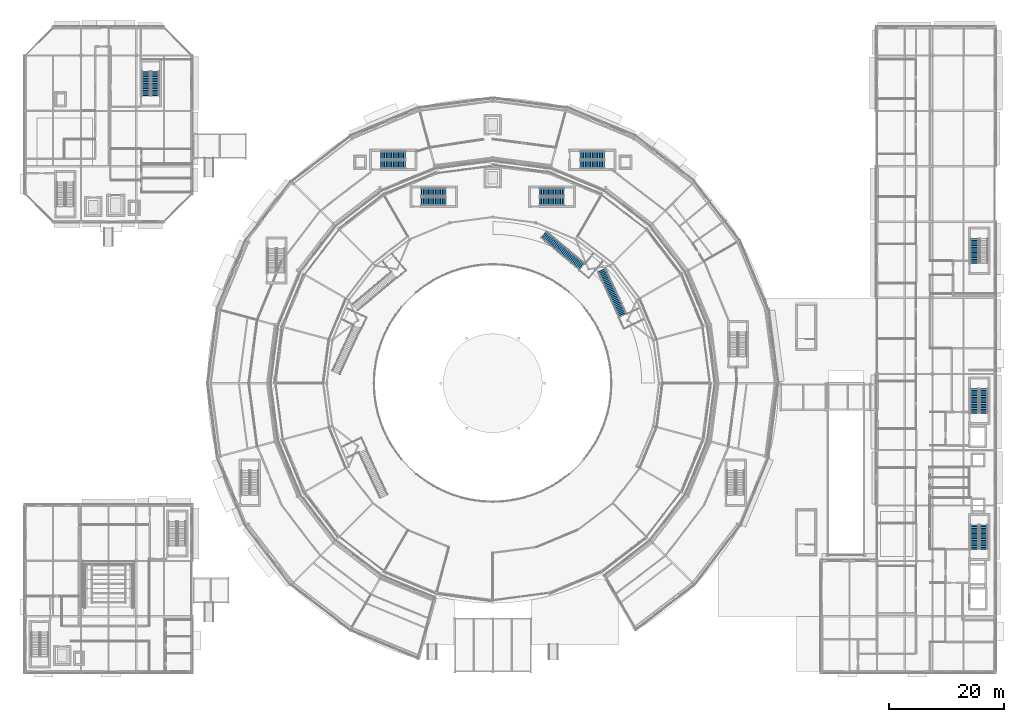
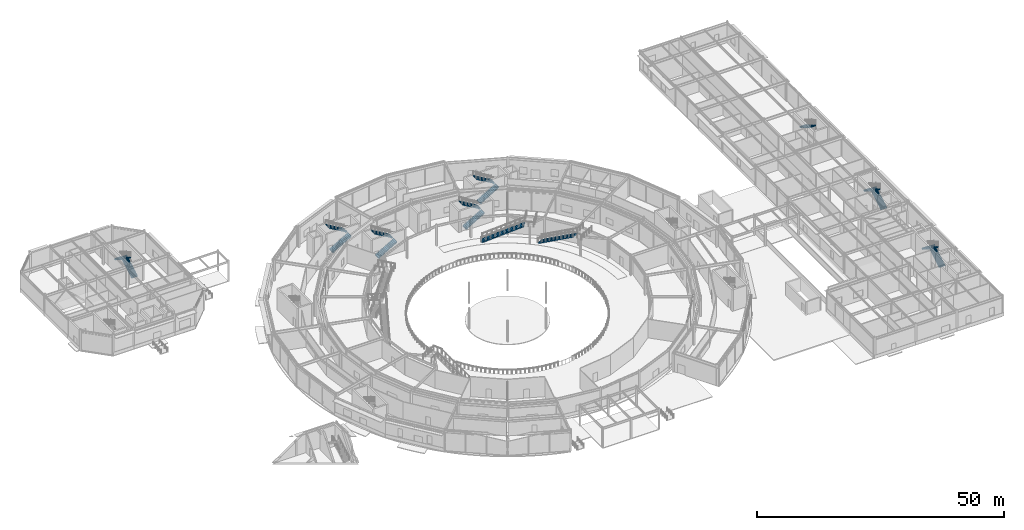
# One storey, part 133 of 168: 17 stair flights, 10 elements without a shape of their own.
"""IFC4 building model written with IfcOpenShell, lengths in metres."""

from ifc_helpers import new_model, si_unit, direction, frame, origin, place, context, subcontext, project, spatial, polyline, outline, extrude, material, type_object, element, aggregate, save


model = new_model("IFC4")

# Units and contexts
model_context = context("Model", 3, precision=1e-05, world=origin(), true_north=direction((0.0, 1.0)))
body_context = subcontext(model_context, "Body", "Model", "MODEL_VIEW")
ifc_project = project(units=[si_unit("LENGTHUNIT", "METRE"), si_unit("AREAUNIT", "SQUARE_METRE"), si_unit("VOLUMEUNIT", "CUBIC_METRE"), si_unit("PLANEANGLEUNIT", "RADIAN"), si_unit("MASSUNIT", "GRAM", prefix="KILO")], contexts=[model_context])

# Site, building, storey
site_placement = place(None, origin())
site = spatial("IfcSite", under=ifc_project, at=site_placement, CompositionType="ELEMENT")
building_placement = place(site_placement, origin())
building = spatial("IfcBuilding", under=site, at=building_placement, Name="Almandine Court Research Institute", CompositionType="ELEMENT")
storey_placement = place(building_placement, origin())
storey = spatial("IfcBuildingStorey", under=building, at=storey_placement, Name="L00", CompositionType="ELEMENT", Elevation=0.0)

# Stair, stair flights
ifc_material_1 = material(Name="Concrete C35/45", Category="concrete")
stair_type_1 = type_object("IfcStairType", Name="Stair-Core-30R", PredefinedType="HALF_TURN_STAIR", material=ifc_material_1)
stair_1_placement = place(storey_placement, origin())
stair_1 = element("IfcStair", 1, at=stair_1_placement, inside=storey, type_object=stair_type_1, Name="L00 Atrium Northeast Exit Stair", PredefinedType="HALF_TURN_STAIR")
stair_flight_type_1 = type_object("IfcStairFlightType", Name="Flight-Core-30R", PredefinedType="STRAIGHT", material=ifc_material_1)
stair_flight_1_placement = place(storey_placement, frame((95.14990234375, 87.510009765625, 0.0), z_axis=(0.0, 0.0, 1.0), x_axis=(1.0, 0.0, 0.0)))
stair_flight_1 = element("IfcStairFlight", 2, at=stair_flight_1_placement, type_object=stair_flight_type_1, Name="ST-03 flight 1", NumberOfRisers=15, NumberOfTreads=14, PredefinedType="STRAIGHT", RiserHeight=0.175, TreadLength=0.3, context=body_context, shape_type="SweptSolid", body=[
    extrude(outline(polyline([(-0.080078125, -0.139892578125), (-0.080078125, 0.0), (0.0, 0.0), (0.0, 0.175048828125), (0.300048828125, 0.175048828125), (0.300048828125, 0.35009765625), (0.60009765625, 0.35009765625), (0.60009765625, 0.52490234375), (0.89990234375, 0.52490234375), (0.89990234375, 0.699951171875), (1.199951171875, 0.699951171875), (1.199951171875, 0.875), (1.5, 0.875), (1.5, 1.050048828125), (1.800048828125, 1.050048828125), (1.800048828125, 1.22509765625), (2.10009765625, 1.22509765625), (2.10009765625, 1.39990234375), (2.39990234375, 1.39990234375), (2.39990234375, 1.574951171875), (2.699951171875, 1.574951171875), (2.699951171875, 1.75), (3.0, 1.75), (3.0, 1.925048828125), (3.300048828125, 1.925048828125), (3.300048828125, 2.10009765625), (3.60009765625, 2.10009765625), (3.60009765625, 2.27490234375), (3.89990234375, 2.27490234375), (3.89990234375, 2.449951171875), (4.199951171875, 2.449951171875), (4.199951171875, 2.625), (4.280029296875, 2.625), (4.280029296875, 2.465087890625), (4.199951171875, 2.264892578125), (0.3173828125, 0.0), (0.3173828125, -0.139892578125), (-0.080078125, -0.139892578125)])), frame((0.0, 0.7099609375, 0.0), z_axis=(0.0, -1.0, 0.0), x_axis=(1.0, 0.0, 0.0)), (0.0, 0.0, 1.0), 1.419921875),
])
stair_flight_2_placement = place(storey_placement, frame((99.35009765625, 89.090087890625, 2.625), z_axis=(0.0, 0.0, 1.0), x_axis=(-1.0, 0.0, 0.0)))
stair_flight_2 = element("IfcStairFlight", 3, at=stair_flight_2_placement, type_object=stair_flight_type_1, Name="ST-03 flight 2", NumberOfRisers=15, NumberOfTreads=14, PredefinedType="STRAIGHT", RiserHeight=0.175, TreadLength=0.3, context=body_context, shape_type="SweptSolid", body=[
    extrude(outline(polyline([(-0.080078125, -0.139892578125), (-0.080078125, 0.0), (0.0, 0.0), (0.0, 0.175048828125), (0.300048828125, 0.175048828125), (0.300048828125, 0.35009765625), (0.60009765625, 0.35009765625), (0.60009765625, 0.52490234375), (0.89990234375, 0.52490234375), (0.89990234375, 0.699951171875), (1.199951171875, 0.699951171875), (1.199951171875, 0.875), (1.5, 0.875), (1.5, 1.050048828125), (1.800048828125, 1.050048828125), (1.800048828125, 1.22509765625), (2.10009765625, 1.22509765625), (2.10009765625, 1.39990234375), (2.39990234375, 1.39990234375), (2.39990234375, 1.574951171875), (2.699951171875, 1.574951171875), (2.699951171875, 1.75), (3.0, 1.75), (3.0, 1.925048828125), (3.300048828125, 1.925048828125), (3.300048828125, 2.10009765625), (3.60009765625, 2.10009765625), (3.60009765625, 2.27490234375), (3.89990234375, 2.27490234375), (3.89990234375, 2.449951171875), (4.199951171875, 2.449951171875), (4.199951171875, 2.625), (4.280029296875, 2.625), (4.280029296875, 2.465087890625), (4.199951171875, 2.264892578125), (0.3173828125, 0.0), (0.3173828125, -0.139892578125), (-0.080078125, -0.139892578125)])), frame((0.0, 0.7099609375, 0.0), z_axis=(0.0, -1.0, 0.0), x_axis=(1.0, 0.0, 0.0)), (0.0, 0.0, 1.0), 1.419921875),
])
aggregate(stair_1, [stair_flight_1, stair_flight_2])

stair_2_placement = place(storey_placement, origin())
stair_2 = element("IfcStair", 4, at=stair_2_placement, inside=storey, type_object=stair_type_1, Name="L00 Atrium Northwest Exit Stair", PredefinedType="HALF_TURN_STAIR")
stair_flight_3_placement = place(storey_placement, frame((74.64990234375, 87.510009765625, 0.0), z_axis=(0.0, 0.0, 1.0), x_axis=(1.0, 0.0, 0.0)))
stair_flight_3 = element("IfcStairFlight", 5, at=stair_flight_3_placement, type_object=stair_flight_type_1, Name="ST-04 flight 1", NumberOfRisers=15, NumberOfTreads=14, PredefinedType="STRAIGHT", RiserHeight=0.175, TreadLength=0.3, context=body_context, shape_type="SweptSolid", body=[
    extrude(outline(polyline([(-0.080078125, -0.139892578125), (-0.080078125, 0.0), (0.0, 0.0), (0.0, 0.175048828125), (0.300048828125, 0.175048828125), (0.300048828125, 0.35009765625), (0.60009765625, 0.35009765625), (0.60009765625, 0.52490234375), (0.89990234375, 0.52490234375), (0.89990234375, 0.699951171875), (1.199951171875, 0.699951171875), (1.199951171875, 0.875), (1.5, 0.875), (1.5, 1.050048828125), (1.800048828125, 1.050048828125), (1.800048828125, 1.22509765625), (2.10009765625, 1.22509765625), (2.10009765625, 1.39990234375), (2.39990234375, 1.39990234375), (2.39990234375, 1.574951171875), (2.699951171875, 1.574951171875), (2.699951171875, 1.75), (3.0, 1.75), (3.0, 1.925048828125), (3.300048828125, 1.925048828125), (3.300048828125, 2.10009765625), (3.60009765625, 2.10009765625), (3.60009765625, 2.27490234375), (3.89990234375, 2.27490234375), (3.89990234375, 2.449951171875), (4.199951171875, 2.449951171875), (4.199951171875, 2.625), (4.280029296875, 2.625), (4.280029296875, 2.465087890625), (4.199951171875, 2.264892578125), (0.3173828125, 0.0), (0.3173828125, -0.139892578125), (-0.080078125, -0.139892578125)])), frame((0.0, 0.7099609375, 0.0), z_axis=(0.0, -1.0, 0.0), x_axis=(1.0, 0.0, 0.0)), (0.0, 0.0, 1.0), 1.419921875),
])
stair_flight_4_placement = place(storey_placement, frame((78.85009765625, 89.090087890625, 2.625), z_axis=(0.0, 0.0, 1.0), x_axis=(-1.0, 0.0, 0.0)))
stair_flight_4 = element("IfcStairFlight", 6, at=stair_flight_4_placement, type_object=stair_flight_type_1, Name="ST-04 flight 2", NumberOfRisers=15, NumberOfTreads=14, PredefinedType="STRAIGHT", RiserHeight=0.175, TreadLength=0.3, context=body_context, shape_type="SweptSolid", body=[
    extrude(outline(polyline([(-0.080078125, -0.139892578125), (-0.080078125, 0.0), (0.0, 0.0), (0.0, 0.175048828125), (0.300048828125, 0.175048828125), (0.300048828125, 0.35009765625), (0.60009765625, 0.35009765625), (0.60009765625, 0.52490234375), (0.89990234375, 0.52490234375), (0.89990234375, 0.699951171875), (1.199951171875, 0.699951171875), (1.199951171875, 0.875), (1.5, 0.875), (1.5, 1.050048828125), (1.800048828125, 1.050048828125), (1.800048828125, 1.22509765625), (2.10009765625, 1.22509765625), (2.10009765625, 1.39990234375), (2.39990234375, 1.39990234375), (2.39990234375, 1.574951171875), (2.699951171875, 1.574951171875), (2.699951171875, 1.75), (3.0, 1.75), (3.0, 1.925048828125), (3.300048828125, 1.925048828125), (3.300048828125, 2.10009765625), (3.60009765625, 2.10009765625), (3.60009765625, 2.27490234375), (3.89990234375, 2.27490234375), (3.89990234375, 2.449951171875), (4.199951171875, 2.449951171875), (4.199951171875, 2.625), (4.280029296875, 2.625), (4.280029296875, 2.465087890625), (4.199951171875, 2.264892578125), (0.3173828125, 0.0), (0.3173828125, -0.139892578125), (-0.080078125, -0.139892578125)])), frame((0.0, 0.7099609375, 0.0), z_axis=(0.0, -1.0, 0.0), x_axis=(1.0, 0.0, 0.0)), (0.0, 0.0, 1.0), 1.419921875),
])
aggregate(stair_2, [stair_flight_3, stair_flight_4])

stair_3_placement = place(storey_placement, origin())
stair_3 = element("IfcStair", 7, at=stair_3_placement, inside=storey, type_object=stair_type_1, Name="L00 Cleanroom Pavilion North Exit Stair", PredefinedType="HALF_TURN_STAIR")
stair_flight_5_placement = place(storey_placement, frame((28.489990234375, 105.85009765625, 0.0), z_axis=(0.0, 0.0, 1.0), x_axis=(0.0, 1.0, 0.0)))
stair_flight_5 = element("IfcStairFlight", 8, at=stair_flight_5_placement, type_object=stair_flight_type_1, Name="ST-06 flight 1", NumberOfRisers=15, NumberOfTreads=14, PredefinedType="STRAIGHT", RiserHeight=0.175, TreadLength=0.3, context=body_context, shape_type="SweptSolid", body=[
    extrude(outline(polyline([(-0.080078125, -0.139892578125), (-0.080078125, 0.0), (0.0, 0.0), (0.0, 0.175048828125), (0.300048828125, 0.175048828125), (0.300048828125, 0.35009765625), (0.60009765625, 0.35009765625), (0.60009765625, 0.52490234375), (0.89990234375, 0.52490234375), (0.89990234375, 0.699951171875), (1.199951171875, 0.699951171875), (1.199951171875, 0.875), (1.5, 0.875), (1.5, 1.050048828125), (1.800048828125, 1.050048828125), (1.800048828125, 1.22509765625), (2.10009765625, 1.22509765625), (2.10009765625, 1.39990234375), (2.39990234375, 1.39990234375), (2.39990234375, 1.574951171875), (2.699951171875, 1.574951171875), (2.699951171875, 1.75), (3.0, 1.75), (3.0, 1.925048828125), (3.300048828125, 1.925048828125), (3.300048828125, 2.10009765625), (3.60009765625, 2.10009765625), (3.60009765625, 2.27490234375), (3.89990234375, 2.27490234375), (3.89990234375, 2.449951171875), (4.199951171875, 2.449951171875), (4.199951171875, 2.625), (4.280029296875, 2.625), (4.280029296875, 2.465087890625), (4.199951171875, 2.264892578125), (0.3173828125, 0.0), (0.3173828125, -0.139892578125), (-0.080078125, -0.139892578125)])), frame((0.0, 0.7099609375, 0.0), z_axis=(0.0, -1.0, 0.0), x_axis=(1.0, 0.0, 0.0)), (0.0, 0.0, 1.0), 1.419921875),
])
stair_flight_6_placement = place(storey_placement, frame((26.909912109375, 110.050048828125, 2.625), z_axis=(0.0, 0.0, 1.0), x_axis=(0.0, -1.0, 0.0)))
stair_flight_6 = element("IfcStairFlight", 9, at=stair_flight_6_placement, type_object=stair_flight_type_1, Name="ST-06 flight 2", NumberOfRisers=15, NumberOfTreads=14, PredefinedType="STRAIGHT", RiserHeight=0.175, TreadLength=0.3, context=body_context, shape_type="SweptSolid", body=[
    extrude(outline(polyline([(-0.080078125, -0.139892578125), (-0.080078125, 0.0), (0.0, 0.0), (0.0, 0.175048828125), (0.300048828125, 0.175048828125), (0.300048828125, 0.35009765625), (0.60009765625, 0.35009765625), (0.60009765625, 0.52490234375), (0.89990234375, 0.52490234375), (0.89990234375, 0.699951171875), (1.199951171875, 0.699951171875), (1.199951171875, 0.875), (1.5, 0.875), (1.5, 1.050048828125), (1.800048828125, 1.050048828125), (1.800048828125, 1.22509765625), (2.10009765625, 1.22509765625), (2.10009765625, 1.39990234375), (2.39990234375, 1.39990234375), (2.39990234375, 1.574951171875), (2.699951171875, 1.574951171875), (2.699951171875, 1.75), (3.0, 1.75), (3.0, 1.925048828125), (3.300048828125, 1.925048828125), (3.300048828125, 2.10009765625), (3.60009765625, 2.10009765625), (3.60009765625, 2.27490234375), (3.89990234375, 2.27490234375), (3.89990234375, 2.449951171875), (4.199951171875, 2.449951171875), (4.199951171875, 2.625), (4.280029296875, 2.625), (4.280029296875, 2.465087890625), (4.199951171875, 2.264892578125), (0.3173828125, 0.0), (0.3173828125, -0.139892578125), (-0.080078125, -0.139892578125)])), frame((0.0, 0.7099609375, 0.0), z_axis=(0.0, -1.0, 0.0), x_axis=(1.0, 0.0, 0.0)), (0.0, 0.0, 1.0), 1.419921875),
])
aggregate(stair_3, [stair_flight_5, stair_flight_6])

stair_4_placement = place(storey_placement, origin())
stair_4 = element("IfcStair", 10, at=stair_4_placement, inside=storey, type_object=stair_type_1, Name="L00 Wet Lab South High-Rise Core Stair", PredefinedType="HALF_TURN_STAIR")
stair_flight_7_placement = place(storey_placement, frame((172.090087890625, 27.25, 0.0), z_axis=(0.0, 0.0, 1.0), x_axis=(0.0, 1.0, 0.0)))
stair_flight_7 = element("IfcStairFlight", 11, at=stair_flight_7_placement, type_object=stair_flight_type_1, Name="ST-07 flight 1", NumberOfRisers=15, NumberOfTreads=14, PredefinedType="STRAIGHT", RiserHeight=0.175, TreadLength=0.3, context=body_context, shape_type="SweptSolid", body=[
    extrude(outline(polyline([(-0.080078125, -0.139892578125), (-0.080078125, 0.0), (0.0, 0.0), (0.0, 0.175048828125), (0.300048828125, 0.175048828125), (0.300048828125, 0.35009765625), (0.60009765625, 0.35009765625), (0.60009765625, 0.52490234375), (0.89990234375, 0.52490234375), (0.89990234375, 0.699951171875), (1.199951171875, 0.699951171875), (1.199951171875, 0.875), (1.5, 0.875), (1.5, 1.050048828125), (1.800048828125, 1.050048828125), (1.800048828125, 1.22509765625), (2.10009765625, 1.22509765625), (2.10009765625, 1.39990234375), (2.39990234375, 1.39990234375), (2.39990234375, 1.574951171875), (2.699951171875, 1.574951171875), (2.699951171875, 1.75), (3.0, 1.75), (3.0, 1.925048828125), (3.300048828125, 1.925048828125), (3.300048828125, 2.10009765625), (3.60009765625, 2.10009765625), (3.60009765625, 2.27490234375), (3.89990234375, 2.27490234375), (3.89990234375, 2.449951171875), (4.199951171875, 2.449951171875), (4.199951171875, 2.625), (4.280029296875, 2.625), (4.280029296875, 2.465087890625), (4.199951171875, 2.264892578125), (0.3173828125, 0.0), (0.3173828125, -0.139892578125), (-0.080078125, -0.139892578125)])), frame((0.0, 0.7099609375, 0.0), z_axis=(0.0, -1.0, 0.0), x_axis=(1.0, 0.0, 0.0)), (0.0, 0.0, 1.0), 1.419921875),
])
stair_flight_8_placement = place(storey_placement, frame((170.510009765625, 31.449951171875, 2.625), z_axis=(0.0, 0.0, 1.0), x_axis=(0.0, -1.0, 0.0)))
stair_flight_8 = element("IfcStairFlight", 12, at=stair_flight_8_placement, type_object=stair_flight_type_1, Name="ST-07 flight 2", NumberOfRisers=15, NumberOfTreads=14, PredefinedType="STRAIGHT", RiserHeight=0.175, TreadLength=0.3, context=body_context, shape_type="SweptSolid", body=[
    extrude(outline(polyline([(-0.080078125, -0.139892578125), (-0.080078125, 0.0), (0.0, 0.0), (0.0, 0.175048828125), (0.300048828125, 0.175048828125), (0.300048828125, 0.35009765625), (0.60009765625, 0.35009765625), (0.60009765625, 0.52490234375), (0.89990234375, 0.52490234375), (0.89990234375, 0.699951171875), (1.199951171875, 0.699951171875), (1.199951171875, 0.875), (1.5, 0.875), (1.5, 1.050048828125), (1.800048828125, 1.050048828125), (1.800048828125, 1.22509765625), (2.10009765625, 1.22509765625), (2.10009765625, 1.39990234375), (2.39990234375, 1.39990234375), (2.39990234375, 1.574951171875), (2.699951171875, 1.574951171875), (2.699951171875, 1.75), (3.0, 1.75), (3.0, 1.925048828125), (3.300048828125, 1.925048828125), (3.300048828125, 2.10009765625), (3.60009765625, 2.10009765625), (3.60009765625, 2.27490234375), (3.89990234375, 2.27490234375), (3.89990234375, 2.449951171875), (4.199951171875, 2.449951171875), (4.199951171875, 2.625), (4.280029296875, 2.625), (4.280029296875, 2.465087890625), (4.199951171875, 2.264892578125), (0.3173828125, 0.0), (0.3173828125, -0.139892578125), (-0.080078125, -0.139892578125)])), frame((0.0, 0.7099609375, 0.0), z_axis=(0.0, -1.0, 0.0), x_axis=(1.0, 0.0, 0.0)), (0.0, 0.0, 1.0), 1.419921875),
])
aggregate(stair_4, [stair_flight_7, stair_flight_8])

stair_5_placement = place(storey_placement, origin())
stair_5 = element("IfcStair", 13, at=stair_5_placement, inside=storey, type_object=stair_type_1, Name="L00 Wet Lab Central High-Rise Core Stair", PredefinedType="HALF_TURN_STAIR")
stair_flight_9_placement = place(storey_placement, frame((172.090087890625, 50.85009765625, 0.0), z_axis=(0.0, 0.0, 1.0), x_axis=(0.0, 1.0, 0.0)))
stair_flight_9 = element("IfcStairFlight", 14, at=stair_flight_9_placement, type_object=stair_flight_type_1, Name="ST-08 flight 1", NumberOfRisers=15, NumberOfTreads=14, PredefinedType="STRAIGHT", RiserHeight=0.175, TreadLength=0.3, context=body_context, shape_type="SweptSolid", body=[
    extrude(outline(polyline([(-0.080078125, -0.139892578125), (-0.080078125, 0.0), (0.0, 0.0), (0.0, 0.175048828125), (0.300048828125, 0.175048828125), (0.300048828125, 0.35009765625), (0.60009765625, 0.35009765625), (0.60009765625, 0.52490234375), (0.89990234375, 0.52490234375), (0.89990234375, 0.699951171875), (1.199951171875, 0.699951171875), (1.199951171875, 0.875), (1.5, 0.875), (1.5, 1.050048828125), (1.800048828125, 1.050048828125), (1.800048828125, 1.22509765625), (2.10009765625, 1.22509765625), (2.10009765625, 1.39990234375), (2.39990234375, 1.39990234375), (2.39990234375, 1.574951171875), (2.699951171875, 1.574951171875), (2.699951171875, 1.75), (3.0, 1.75), (3.0, 1.925048828125), (3.300048828125, 1.925048828125), (3.300048828125, 2.10009765625), (3.60009765625, 2.10009765625), (3.60009765625, 2.27490234375), (3.89990234375, 2.27490234375), (3.89990234375, 2.449951171875), (4.199951171875, 2.449951171875), (4.199951171875, 2.625), (4.280029296875, 2.625), (4.280029296875, 2.465087890625), (4.199951171875, 2.264892578125), (0.3173828125, 0.0), (0.3173828125, -0.139892578125), (-0.080078125, -0.139892578125)])), frame((0.0, 0.7099609375, 0.0), z_axis=(0.0, -1.0, 0.0), x_axis=(1.0, 0.0, 0.0)), (0.0, 0.0, 1.0), 1.419921875),
])
stair_flight_10_placement = place(storey_placement, frame((170.510009765625, 55.050048828125, 2.625), z_axis=(0.0, 0.0, 1.0), x_axis=(0.0, -1.0, 0.0)))
stair_flight_10 = element("IfcStairFlight", 15, at=stair_flight_10_placement, type_object=stair_flight_type_1, Name="ST-08 flight 2", NumberOfRisers=15, NumberOfTreads=14, PredefinedType="STRAIGHT", RiserHeight=0.175, TreadLength=0.3, context=body_context, shape_type="SweptSolid", body=[
    extrude(outline(polyline([(-0.080078125, -0.139892578125), (-0.080078125, 0.0), (0.0, 0.0), (0.0, 0.175048828125), (0.300048828125, 0.175048828125), (0.300048828125, 0.35009765625), (0.60009765625, 0.35009765625), (0.60009765625, 0.52490234375), (0.89990234375, 0.52490234375), (0.89990234375, 0.699951171875), (1.199951171875, 0.699951171875), (1.199951171875, 0.875), (1.5, 0.875), (1.5, 1.050048828125), (1.800048828125, 1.050048828125), (1.800048828125, 1.22509765625), (2.10009765625, 1.22509765625), (2.10009765625, 1.39990234375), (2.39990234375, 1.39990234375), (2.39990234375, 1.574951171875), (2.699951171875, 1.574951171875), (2.699951171875, 1.75), (3.0, 1.75), (3.0, 1.925048828125), (3.300048828125, 1.925048828125), (3.300048828125, 2.10009765625), (3.60009765625, 2.10009765625), (3.60009765625, 2.27490234375), (3.89990234375, 2.27490234375), (3.89990234375, 2.449951171875), (4.199951171875, 2.449951171875), (4.199951171875, 2.625), (4.280029296875, 2.625), (4.280029296875, 2.465087890625), (4.199951171875, 2.264892578125), (0.3173828125, 0.0), (0.3173828125, -0.139892578125), (-0.080078125, -0.139892578125)])), frame((0.0, 0.7099609375, 0.0), z_axis=(0.0, -1.0, 0.0), x_axis=(1.0, 0.0, 0.0)), (0.0, 0.0, 1.0), 1.419921875),
])
aggregate(stair_5, [stair_flight_9, stair_flight_10])

# Stair, stair flight
stair_6_placement = place(storey_placement, origin())
stair_6 = element("IfcStair", 16, at=stair_6_placement, inside=storey, type_object=stair_type_1, Name="L00 Wet Lab North Exit Stair", PredefinedType="HALF_TURN_STAIR")
stair_flight_11_placement = place(storey_placement, frame((170.510009765625, 81.050048828125, 2.625), z_axis=(0.0, 0.0, 1.0), x_axis=(0.0, -1.0, 0.0)))
stair_flight_11 = element("IfcStairFlight", 17, at=stair_flight_11_placement, type_object=stair_flight_type_1, Name="ST-13 flight 2", NumberOfRisers=15, NumberOfTreads=14, PredefinedType="STRAIGHT", RiserHeight=0.175, TreadLength=0.3, context=body_context, shape_type="SweptSolid", body=[
    extrude(outline(polyline([(-0.080078125, -0.139892578125), (-0.080078125, 0.0), (0.0, 0.0), (0.0, 0.175048828125), (0.300048828125, 0.175048828125), (0.300048828125, 0.35009765625), (0.60009765625, 0.35009765625), (0.60009765625, 0.52490234375), (0.89990234375, 0.52490234375), (0.89990234375, 0.699951171875), (1.199951171875, 0.699951171875), (1.199951171875, 0.875), (1.5, 0.875), (1.5, 1.050048828125), (1.800048828125, 1.050048828125), (1.800048828125, 1.22509765625), (2.10009765625, 1.22509765625), (2.10009765625, 1.39990234375), (2.39990234375, 1.39990234375), (2.39990234375, 1.574951171875), (2.699951171875, 1.574951171875), (2.699951171875, 1.75), (3.0, 1.75), (3.0, 1.925048828125), (3.300048828125, 1.925048828125), (3.300048828125, 2.10009765625), (3.60009765625, 2.10009765625), (3.60009765625, 2.27490234375), (3.89990234375, 2.27490234375), (3.89990234375, 2.449951171875), (4.199951171875, 2.449951171875), (4.199951171875, 2.625), (4.280029296875, 2.625), (4.280029296875, 2.465087890625), (4.199951171875, 2.264892578125), (0.3173828125, 0.0), (0.3173828125, -0.139892578125), (-0.080078125, -0.139892578125)])), frame((0.0, 0.7099609375, 0.0), z_axis=(0.0, -1.0, 0.0), x_axis=(1.0, 0.0, 0.0)), (0.0, 0.0, 1.0), 1.419921875),
])
aggregate(stair_6, [stair_flight_11])

# Stair, stair flights
stair_7_placement = place(storey_placement, origin())
stair_7 = element("IfcStair", 18, at=stair_7_placement, inside=storey, type_object=stair_type_1, Name="L00 Drum Northeast Exit Stair", PredefinedType="HALF_TURN_STAIR")
stair_flight_12_placement = place(storey_placement, frame((102.14990234375, 93.909912109375, 0.0), z_axis=(0.0, 0.0, 1.0), x_axis=(1.0, 0.0, 0.0)))
stair_flight_12 = element("IfcStairFlight", 19, at=stair_flight_12_placement, type_object=stair_flight_type_1, Name="ST-09 flight 1", NumberOfRisers=15, NumberOfTreads=14, PredefinedType="STRAIGHT", RiserHeight=0.175, TreadLength=0.3, context=body_context, shape_type="SweptSolid", body=[
    extrude(outline(polyline([(-0.080078125, -0.139892578125), (-0.080078125, 0.0), (0.0, 0.0), (0.0, 0.175048828125), (0.300048828125, 0.175048828125), (0.300048828125, 0.35009765625), (0.60009765625, 0.35009765625), (0.60009765625, 0.52490234375), (0.89990234375, 0.52490234375), (0.89990234375, 0.699951171875), (1.199951171875, 0.699951171875), (1.199951171875, 0.875), (1.5, 0.875), (1.5, 1.050048828125), (1.800048828125, 1.050048828125), (1.800048828125, 1.22509765625), (2.10009765625, 1.22509765625), (2.10009765625, 1.39990234375), (2.39990234375, 1.39990234375), (2.39990234375, 1.574951171875), (2.699951171875, 1.574951171875), (2.699951171875, 1.75), (3.0, 1.75), (3.0, 1.925048828125), (3.300048828125, 1.925048828125), (3.300048828125, 2.10009765625), (3.60009765625, 2.10009765625), (3.60009765625, 2.27490234375), (3.89990234375, 2.27490234375), (3.89990234375, 2.449951171875), (4.199951171875, 2.449951171875), (4.199951171875, 2.625), (4.280029296875, 2.625), (4.280029296875, 2.465087890625), (4.199951171875, 2.264892578125), (0.3173828125, 0.0), (0.3173828125, -0.139892578125), (-0.080078125, -0.139892578125)])), frame((0.0, 0.7099609375, 0.0), z_axis=(0.0, -1.0, 0.0), x_axis=(1.0, 0.0, 0.0)), (0.0, 0.0, 1.0), 1.419921875),
])
stair_flight_13_placement = place(storey_placement, frame((106.35009765625, 95.489990234375, 2.625), z_axis=(0.0, 0.0, 1.0), x_axis=(-1.0, 0.0, 0.0)))
stair_flight_13 = element("IfcStairFlight", 20, at=stair_flight_13_placement, type_object=stair_flight_type_1, Name="ST-09 flight 2", NumberOfRisers=15, NumberOfTreads=14, PredefinedType="STRAIGHT", RiserHeight=0.175, TreadLength=0.3, context=body_context, shape_type="SweptSolid", body=[
    extrude(outline(polyline([(-0.080078125, -0.139892578125), (-0.080078125, 0.0), (0.0, 0.0), (0.0, 0.175048828125), (0.300048828125, 0.175048828125), (0.300048828125, 0.35009765625), (0.60009765625, 0.35009765625), (0.60009765625, 0.52490234375), (0.89990234375, 0.52490234375), (0.89990234375, 0.699951171875), (1.199951171875, 0.699951171875), (1.199951171875, 0.875), (1.5, 0.875), (1.5, 1.050048828125), (1.800048828125, 1.050048828125), (1.800048828125, 1.22509765625), (2.10009765625, 1.22509765625), (2.10009765625, 1.39990234375), (2.39990234375, 1.39990234375), (2.39990234375, 1.574951171875), (2.699951171875, 1.574951171875), (2.699951171875, 1.75), (3.0, 1.75), (3.0, 1.925048828125), (3.300048828125, 1.925048828125), (3.300048828125, 2.10009765625), (3.60009765625, 2.10009765625), (3.60009765625, 2.27490234375), (3.89990234375, 2.27490234375), (3.89990234375, 2.449951171875), (4.199951171875, 2.449951171875), (4.199951171875, 2.625), (4.280029296875, 2.625), (4.280029296875, 2.465087890625), (4.199951171875, 2.264892578125), (0.3173828125, 0.0), (0.3173828125, -0.139892578125), (-0.080078125, -0.139892578125)])), frame((0.0, 0.7099609375, 0.0), z_axis=(0.0, -1.0, 0.0), x_axis=(1.0, 0.0, 0.0)), (0.0, 0.0, 1.0), 1.419921875),
])
aggregate(stair_7, [stair_flight_12, stair_flight_13])

stair_8_placement = place(storey_placement, origin())
stair_8 = element("IfcStair", 21, at=stair_8_placement, inside=storey, type_object=stair_type_1, Name="L00 Drum Northwest Exit Stair", PredefinedType="HALF_TURN_STAIR")
stair_flight_14_placement = place(storey_placement, frame((67.64990234375, 93.909912109375, 0.0), z_axis=(0.0, 0.0, 1.0), x_axis=(1.0, 0.0, 0.0)))
stair_flight_14 = element("IfcStairFlight", 22, at=stair_flight_14_placement, type_object=stair_flight_type_1, Name="ST-10 flight 1", NumberOfRisers=15, NumberOfTreads=14, PredefinedType="STRAIGHT", RiserHeight=0.175, TreadLength=0.3, context=body_context, shape_type="SweptSolid", body=[
    extrude(outline(polyline([(-0.080078125, -0.139892578125), (-0.080078125, 0.0), (0.0, 0.0), (0.0, 0.175048828125), (0.300048828125, 0.175048828125), (0.300048828125, 0.35009765625), (0.60009765625, 0.35009765625), (0.60009765625, 0.52490234375), (0.89990234375, 0.52490234375), (0.89990234375, 0.699951171875), (1.199951171875, 0.699951171875), (1.199951171875, 0.875), (1.5, 0.875), (1.5, 1.050048828125), (1.800048828125, 1.050048828125), (1.800048828125, 1.22509765625), (2.10009765625, 1.22509765625), (2.10009765625, 1.39990234375), (2.39990234375, 1.39990234375), (2.39990234375, 1.574951171875), (2.699951171875, 1.574951171875), (2.699951171875, 1.75), (3.0, 1.75), (3.0, 1.925048828125), (3.300048828125, 1.925048828125), (3.300048828125, 2.10009765625), (3.60009765625, 2.10009765625), (3.60009765625, 2.27490234375), (3.89990234375, 2.27490234375), (3.89990234375, 2.449951171875), (4.199951171875, 2.449951171875), (4.199951171875, 2.625), (4.280029296875, 2.625), (4.280029296875, 2.465087890625), (4.199951171875, 2.264892578125), (0.3173828125, 0.0), (0.3173828125, -0.139892578125), (-0.080078125, -0.139892578125)])), frame((0.0, 0.7099609375, 0.0), z_axis=(0.0, -1.0, 0.0), x_axis=(1.0, 0.0, 0.0)), (0.0, 0.0, 1.0), 1.419921875),
])
stair_flight_15_placement = place(storey_placement, frame((71.85009765625, 95.489990234375, 2.625), z_axis=(0.0, 0.0, 1.0), x_axis=(-1.0, 0.0, 0.0)))
stair_flight_15 = element("IfcStairFlight", 23, at=stair_flight_15_placement, type_object=stair_flight_type_1, Name="ST-10 flight 2", NumberOfRisers=15, NumberOfTreads=14, PredefinedType="STRAIGHT", RiserHeight=0.175, TreadLength=0.3, context=body_context, shape_type="SweptSolid", body=[
    extrude(outline(polyline([(-0.080078125, -0.139892578125), (-0.080078125, 0.0), (0.0, 0.0), (0.0, 0.175048828125), (0.300048828125, 0.175048828125), (0.300048828125, 0.35009765625), (0.60009765625, 0.35009765625), (0.60009765625, 0.52490234375), (0.89990234375, 0.52490234375), (0.89990234375, 0.699951171875), (1.199951171875, 0.699951171875), (1.199951171875, 0.875), (1.5, 0.875), (1.5, 1.050048828125), (1.800048828125, 1.050048828125), (1.800048828125, 1.22509765625), (2.10009765625, 1.22509765625), (2.10009765625, 1.39990234375), (2.39990234375, 1.39990234375), (2.39990234375, 1.574951171875), (2.699951171875, 1.574951171875), (2.699951171875, 1.75), (3.0, 1.75), (3.0, 1.925048828125), (3.300048828125, 1.925048828125), (3.300048828125, 2.10009765625), (3.60009765625, 2.10009765625), (3.60009765625, 2.27490234375), (3.89990234375, 2.27490234375), (3.89990234375, 2.449951171875), (4.199951171875, 2.449951171875), (4.199951171875, 2.625), (4.280029296875, 2.625), (4.280029296875, 2.465087890625), (4.199951171875, 2.264892578125), (0.3173828125, 0.0), (0.3173828125, -0.139892578125), (-0.080078125, -0.139892578125)])), frame((0.0, 0.7099609375, 0.0), z_axis=(0.0, -1.0, 0.0), x_axis=(1.0, 0.0, 0.0)), (0.0, 0.0, 1.0), 1.419921875),
])
aggregate(stair_8, [stair_flight_14, stair_flight_15])

# Stair, stair flight
ifc_material_2 = material(Name="Steel ASTM A500 Grade C", Category="steel")
stair_type_2 = type_object("IfcStairType", Name="Stair-Feat-30R", PredefinedType="STRAIGHT_RUN_STAIR", material=ifc_material_2)
stair_9_placement = place(storey_placement, origin())
stair_9 = element("IfcStair", 24, at=stair_9_placement, inside=storey, type_object=stair_type_2, Name="L00 Interaction Atrium Feature Stair ST-AT-01", PredefinedType="STRAIGHT_RUN_STAIR")
stair_flight_type_2 = type_object("IfcStairFlightType", Name="Flight-Feat-165", PredefinedType="STRAIGHT", material=ifc_material_2)
stair_flight_16_placement = place(storey_placement, frame((105.89990234375, 75.571044921875, 0.0), z_axis=(0.0, 0.0, 1.0), x_axis=(0.422618261741, -0.906307787037, 0.0)))
stair_flight_16 = element("IfcStairFlight", 25, at=stair_flight_16_placement, type_object=stair_flight_type_2, Name="ST-AT-01 flight 1", NumberOfRisers=30, NumberOfTreads=29, PredefinedType="STRAIGHT", RiserHeight=0.175, TreadLength=0.3, context=body_context, shape_type="SweptSolid", body=[
    extrude(outline(polyline([(-0.080078125, -0.139892578125), (-0.080078125, 0.0), (0.0, 0.0), (0.0, 0.175048828125), (0.300048828125, 0.175048828125), (0.300048828125, 0.35009765625), (0.60009765625, 0.35009765625), (0.60009765625, 0.52490234375), (0.89990234375, 0.52490234375), (0.89990234375, 0.699951171875), (1.199951171875, 0.699951171875), (1.199951171875, 0.875), (1.5, 0.875), (1.5, 1.050048828125), (1.800048828125, 1.050048828125), (1.800048828125, 1.22509765625), (2.10009765625, 1.22509765625), (2.10009765625, 1.39990234375), (2.39990234375, 1.39990234375), (2.39990234375, 1.574951171875), (2.699951171875, 1.574951171875), (2.699951171875, 1.75), (3.0, 1.75), (3.0, 1.925048828125), (3.300048828125, 1.925048828125), (3.300048828125, 2.10009765625), (3.60009765625, 2.10009765625), (3.60009765625, 2.27490234375), (3.89990234375, 2.27490234375), (3.89990234375, 2.449951171875), (4.199951171875, 2.449951171875), (4.199951171875, 2.625), (4.5, 2.625), (4.5, 2.800048828125), (4.800048828125, 2.800048828125), (4.800048828125, 2.97509765625), (5.10009765625, 2.97509765625), (5.10009765625, 3.14990234375), (5.39990234375, 3.14990234375), (5.39990234375, 3.324951171875), (5.699951171875, 3.324951171875), (5.699951171875, 3.5), (6.0, 3.5), (6.0, 3.675048828125), (6.300048828125, 3.675048828125), (6.300048828125, 3.85009765625), (6.60009765625, 3.85009765625), (6.60009765625, 4.02490234375), (6.89990234375, 4.02490234375), (6.89990234375, 4.199951171875), (7.199951171875, 4.199951171875), (7.199951171875, 4.375), (7.5, 4.375), (7.5, 4.550048828125), (7.800048828125, 4.550048828125), (7.800048828125, 4.72509765625), (8.10009765625, 4.72509765625), (8.10009765625, 4.89990234375), (8.39990234375, 4.89990234375), (8.39990234375, 5.074951171875), (8.699951171875, 5.074951171875), (8.699951171875, 5.25), (8.780029296875, 5.25), (8.780029296875, 5.090087890625), (8.699951171875, 4.86669921875), (0.357177734375, 0.0), (0.357177734375, -0.139892578125), (-0.080078125, -0.139892578125)])), frame((0.0, 0.75, 0.0), z_axis=(0.0, -1.0, 0.0), x_axis=(1.0, 0.0, 0.0)), (0.0, 0.0, 1.0), 1.5),
])
aggregate(stair_9, [stair_flight_16])

stair_10_placement = place(storey_placement, origin())
stair_10 = element("IfcStair", 26, at=stair_10_placement, inside=storey, type_object=stair_type_2, Name="L00 Interaction Atrium Feature Stair ST-AT-02", PredefinedType="STRAIGHT_RUN_STAIR")
stair_flight_17_placement = place(storey_placement, frame((95.85791015625, 81.72509765625, 0.0), z_axis=(0.0, 0.0, 1.0), x_axis=(0.766044443119, -0.642787609687, 0.0)))
stair_flight_17 = element("IfcStairFlight", 27, at=stair_flight_17_placement, type_object=stair_flight_type_2, Name="ST-AT-02 flight 1", NumberOfRisers=30, NumberOfTreads=29, PredefinedType="STRAIGHT", RiserHeight=0.175, TreadLength=0.3, context=body_context, shape_type="SweptSolid", body=[
    extrude(outline(polyline([(-0.080078125, -0.139892578125), (-0.080078125, 0.0), (0.0, 0.0), (0.0, 0.175048828125), (0.300048828125, 0.175048828125), (0.300048828125, 0.35009765625), (0.60009765625, 0.35009765625), (0.60009765625, 0.52490234375), (0.89990234375, 0.52490234375), (0.89990234375, 0.699951171875), (1.199951171875, 0.699951171875), (1.199951171875, 0.875), (1.5, 0.875), (1.5, 1.050048828125), (1.800048828125, 1.050048828125), (1.800048828125, 1.22509765625), (2.10009765625, 1.22509765625), (2.10009765625, 1.39990234375), (2.39990234375, 1.39990234375), (2.39990234375, 1.574951171875), (2.699951171875, 1.574951171875), (2.699951171875, 1.75), (3.0, 1.75), (3.0, 1.925048828125), (3.300048828125, 1.925048828125), (3.300048828125, 2.10009765625), (3.60009765625, 2.10009765625), (3.60009765625, 2.27490234375), (3.89990234375, 2.27490234375), (3.89990234375, 2.449951171875), (4.199951171875, 2.449951171875), (4.199951171875, 2.625), (4.5, 2.625), (4.5, 2.800048828125), (4.800048828125, 2.800048828125), (4.800048828125, 2.97509765625), (5.10009765625, 2.97509765625), (5.10009765625, 3.14990234375), (5.39990234375, 3.14990234375), (5.39990234375, 3.324951171875), (5.699951171875, 3.324951171875), (5.699951171875, 3.5), (6.0, 3.5), (6.0, 3.675048828125), (6.300048828125, 3.675048828125), (6.300048828125, 3.85009765625), (6.60009765625, 3.85009765625), (6.60009765625, 4.02490234375), (6.89990234375, 4.02490234375), (6.89990234375, 4.199951171875), (7.199951171875, 4.199951171875), (7.199951171875, 4.375), (7.5, 4.375), (7.5, 4.550048828125), (7.800048828125, 4.550048828125), (7.800048828125, 4.72509765625), (8.10009765625, 4.72509765625), (8.10009765625, 4.89990234375), (8.39990234375, 4.89990234375), (8.39990234375, 5.074951171875), (8.699951171875, 5.074951171875), (8.699951171875, 5.25), (8.780029296875, 5.25), (8.780029296875, 5.090087890625), (8.699951171875, 4.86669921875), (0.357177734375, 0.0), (0.357177734375, -0.139892578125), (-0.080078125, -0.139892578125)])), frame((0.0, 0.75, 0.0), z_axis=(0.0, -1.0, 0.0), x_axis=(1.0, 0.0, 0.0)), (0.0, 0.0, 1.0), 1.5),
])
aggregate(stair_10, [stair_flight_17])

save(model, "model.ifc")
